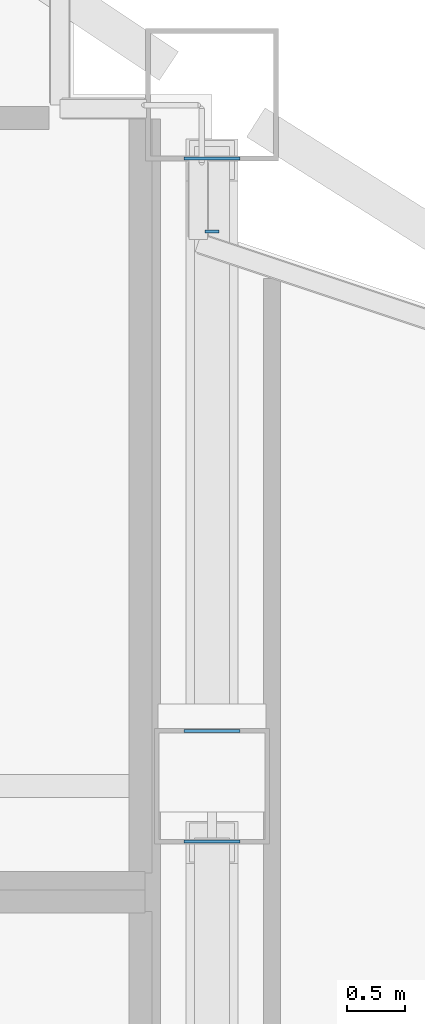
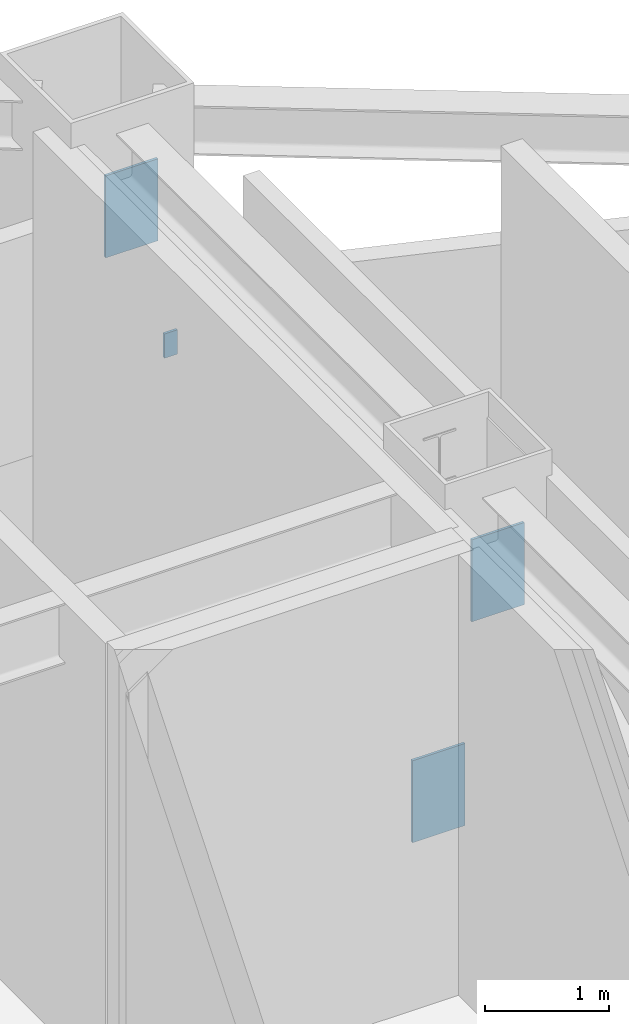
# One storey, part 12 of 23: 4 plates.
"""IFC4 building model written with IfcOpenShell, lengths in metres."""

import ifcopenshell
import ifcopenshell.guid

model = None  # the IFC model being written
_history = None  # IfcOwnerHistory: only IFC2X3 demands one
_inside = {}  # id of a spatial element -> (the spatial element, [elements in it])
_under = {}  # id of a project, library or spatial element -> (it, [spatial elements below it])
_declared = {}  # id of a project -> (the project, [libraries it declares])
_typed = {}  # id of a type object -> (the type object, [elements of that type])
_made_of = {}  # id of a material, layer set ... -> (it, [elements and type objects made of it])


def new_model(schema):
    """Start an empty IFC model of exactly this schema.

    Asked for "IFC4X3", IfcOpenShell would pick the latest addendum, in which some entities
    have other attributes; the version numbers below select the first issue.
    IFC2X3 requires an IfcOwnerHistory on every rooted entity: one is made here for all.
    """
    global model, _history
    if schema == "IFC4X3":
        model = ifcopenshell.file(schema_version=(4, 3, 0, 0))
    else:
        model = ifcopenshell.file(schema=schema)
    _inside.clear()
    _under.clear()
    _declared.clear()
    _typed.clear()
    _made_of.clear()
    _history = None
    if model.schema == "IFC2X3":
        org = make("IfcOrganization", Name="unknown")
        user = make(
            "IfcPersonAndOrganization",
            ThePerson=make("IfcPerson", FamilyName="unknown"),
            TheOrganization=org,
        )
        app = make(
            "IfcApplication",
            ApplicationDeveloper=org,
            Version="unknown",
            ApplicationFullName="unknown",
            ApplicationIdentifier="unknown",
        )
        _history = make(
            "IfcOwnerHistory",
            OwningUser=user,
            OwningApplication=app,
            ChangeAction="ADDED",
            CreationDate=0,
        )
    return model


def make(cls, **values):
    """One entity of the class cls with the attributes given. An attribute that is None is left unset."""
    return model.create_entity(
        cls, **{name: value for name, value in values.items() if value is not None}
    )


def rooted(cls, **values):
    """An entity with a GlobalId (a new one), such as an element, a storey or a relation."""
    return make(cls, GlobalId=ifcopenshell.guid.new(), OwnerHistory=_history, **values)


def si_unit(unit_type, name, prefix=None):
    """IfcSIUnit, for example si_unit("LENGTHUNIT", "METRE", prefix="MILLI")."""
    return make("IfcSIUnit", UnitType=unit_type, Prefix=prefix, Name=name)


def assignment(units):
    """IfcUnitAssignment: the units of a project."""
    return None if units is None else make("IfcUnitAssignment", Units=units)


def point(xyz):
    """IfcCartesianPoint."""
    return None if xyz is None else make("IfcCartesianPoint", Coordinates=xyz)


def direction(xyz):
    """IfcDirection."""
    return None if xyz is None else make("IfcDirection", DirectionRatios=xyz)


def frame(location, z_axis=None, x_axis=None):
    """IfcAxis2Placement3D, a coordinate frame: its origin and axes. An axis left out is left unset."""
    return make(
        "IfcAxis2Placement3D",
        Location=point(location),
        Axis=direction(z_axis),
        RefDirection=direction(x_axis),
    )


def frame_2d(location, x_axis=None):
    """IfcAxis2Placement2D, a coordinate frame in the plane: its origin and x axis."""
    return make(
        "IfcAxis2Placement2D", Location=point(location), RefDirection=direction(x_axis)
    )


def origin():
    """The frame at (0, 0, 0) with its axes left unset."""
    return frame((0.0, 0.0, 0.0))


def origin_2d():
    """The frame at (0, 0) in the plane with its x axis left unset."""
    return frame_2d((0.0, 0.0))


def place(relative_to, where):
    """IfcLocalPlacement: puts the frame where relative to a parent placement (None: the world)."""
    return make(
        "IfcLocalPlacement", PlacementRelTo=relative_to, RelativePlacement=where
    )


def context(
    kind, dimensions, precision=None, world=None, true_north=None, identifier=None
):
    """IfcGeometricRepresentationContext, for example the 3D "Model" context."""
    return make(
        "IfcGeometricRepresentationContext",
        ContextIdentifier=identifier,
        ContextType=kind,
        CoordinateSpaceDimension=dimensions,
        Precision=precision,
        WorldCoordinateSystem=world,
        TrueNorth=true_north,
    )


def subcontext(parent, identifier, kind, view, scale=None):
    """IfcGeometricRepresentationSubContext, for example "Body" below "Model"."""
    return make(
        "IfcGeometricRepresentationSubContext",
        ContextIdentifier=identifier,
        ContextType=kind,
        ParentContext=parent,
        TargetScale=scale,
        TargetView=view,
    )


def project(units=None, contexts=None):
    """IfcProject with its units and contexts."""
    return rooted(
        "IfcProject",
        Name="project",
        RepresentationContexts=contexts,
        UnitsInContext=assignment(units),
    )


def spatial(cls, under=None, at=None, **own):
    """A site, building, storey or space (cls), placed at a placement, below another one or the project."""
    s = rooted(cls, ObjectPlacement=at, **own)
    if under is not None:
        _under.setdefault(under.id(), (under, []))[1].append(s)
    return s


def profile(cls, at=None, kind="AREA", **sizes):
    """A parametric profile (cls). Its sizes go by their IFC names, for example OverallWidth=200.0."""
    return make(cls, ProfileType=kind, Position=at, **sizes)


def rectangle(**sizes):
    """IfcRectangleProfileDef."""
    return profile("IfcRectangleProfileDef", **sizes)


def extrude(swept, where, along, depth):
    """IfcExtrudedAreaSolid: the profile swept, set in the frame where, extruded along a direction by depth."""
    return make(
        "IfcExtrudedAreaSolid",
        SweptArea=swept,
        Position=where,
        ExtrudedDirection=direction(along),
        Depth=depth,
    )


def shape(context_of_items, identifier, shape_type, items):
    """IfcShapeRepresentation: the items that make up one representation, for example the "Body"."""
    return make(
        "IfcShapeRepresentation",
        ContextOfItems=context_of_items,
        RepresentationIdentifier=identifier,
        RepresentationType=shape_type,
        Items=items,
    )


def material(Name=None, Category=None):
    """IfcMaterial."""
    return make("IfcMaterial", Name=Name, Category=Category)


def layer(
    of_material, thickness, ventilated=None, Name=None, Category=None, Priority=None
):
    """IfcMaterialLayer: one layer of a wall or slab, of a material (None: an air gap)."""
    return make(
        "IfcMaterialLayer",
        Material=of_material,
        LayerThickness=thickness,
        IsVentilated=ventilated,
        Name=Name,
        Category=Category,
        Priority=Priority,
    )


def layer_set(layers, Name=None):
    """IfcMaterialLayerSet."""
    return make("IfcMaterialLayerSet", MaterialLayers=layers, LayerSetName=Name)


def made_of(thing, what):
    """Note that an element or type object is made of a material, layer set ...; save() writes the relation."""
    if what is not None:
        _made_of.setdefault(what.id(), (what, []))[1].append(thing)
    return thing


def type_object(cls, material=None, **own):
    """A type object (cls), such as IfcWallType, which elements share."""
    return made_of(rooted(cls, **own), material)


def element(
    cls,
    number,
    at=None,
    inside=None,
    cuts=None,
    type_object=None,
    material=None,
    context=None,
    identifier="Body",
    shape_type=None,
    held_by="IfcProductDefinitionShape",
    body=None,
    shapes=None,
    **own,
):
    """One element of the class cls, such as IfcWall. Its Tag is "e" and its number.

    at: its placement. inside: the storey or other place that contains it. cuts: it is an
    opening in that element (IfcRelVoidsElement). A single representation is given by context,
    identifier, shape_type and body (its items); several are given by shapes. held_by: the class
    of the entity that holds the representations. save() writes the other relations.
    """
    e = rooted(cls, Tag="e%d" % number, ObjectPlacement=at, **own)
    if body is not None:
        shapes = [shape(context, identifier, shape_type, body)]
    if shapes is not None:
        e.Representation = make(held_by, Representations=shapes)
    if inside is not None:
        _inside.setdefault(inside.id(), (inside, []))[1].append(e)
    if cuts is not None:
        rooted(
            "IfcRelVoidsElement", RelatingBuildingElement=cuts, RelatedOpeningElement=e
        )
    if type_object is not None:
        _typed.setdefault(type_object.id(), (type_object, []))[1].append(e)
    return made_of(e, material)


def aggregate(whole, parts):
    """IfcRelAggregates: a whole, such as a stair, and the parts it consists of."""
    return rooted("IfcRelAggregates", RelatingObject=whole, RelatedObjects=parts)


def save(model, path):
    """Write the relations noted so far, then the file.

    IfcRelAggregates (storeys below a building ...), IfcRelContainedInSpatialStructure (elements
    in a storey), IfcRelDefinesByType, IfcRelAssociatesMaterial and IfcRelDeclares: one each for
    every whole, place, type object, material and project.
    """
    for whole, parts in _under.values():
        aggregate(whole, parts)
    for where, things in _inside.values():
        rooted(
            "IfcRelContainedInSpatialStructure",
            RelatedElements=things,
            RelatingStructure=where,
        )
    for kind, things in _typed.values():
        rooted("IfcRelDefinesByType", RelatedObjects=things, RelatingType=kind)
    for what, things in _made_of.values():
        rooted("IfcRelAssociatesMaterial", RelatedObjects=things, RelatingMaterial=what)
    for by, libraries in _declared.values():
        rooted("IfcRelDeclares", RelatingContext=by, RelatedDefinitions=libraries)
    model.write(path)


model = new_model("IFC4")

# Units and contexts
model_context = context("Model", 3, precision=1e-05, world=origin(), true_north=direction((0.0, 1.0)))
body_context = subcontext(model_context, "Body", "Model", "MODEL_VIEW")
ifc_project = project(units=[si_unit("LENGTHUNIT", "METRE"), si_unit("AREAUNIT", "SQUARE_METRE"), si_unit("VOLUMEUNIT", "CUBIC_METRE"), si_unit("PLANEANGLEUNIT", "RADIAN"), si_unit("MASSUNIT", "GRAM", prefix="KILO")], contexts=[model_context])

# Site, building, storey
site_placement = place(None, origin())
site = spatial("IfcSite", under=ifc_project, at=site_placement, CompositionType="ELEMENT")
building_placement = place(site_placement, origin())
building = spatial("IfcBuilding", under=site, at=building_placement, Name="Haolan Belvedere Tower", CompositionType="ELEMENT")
storey_placement = place(building_placement, frame((0.0, 0.0, 89.39990234375)))
storey = spatial("IfcBuildingStorey", under=building, at=storey_placement, Name="L22", CompositionType="ELEMENT", Elevation=89.39990234375)

# Plates
ifc_material = material(Name="Steel Q355B", Category="steel")
ifc_layer = layer(ifc_material, 0.02490234375, Name="Steel Q355B")
ifc_layer_set = layer_set([ifc_layer], Name="Steel Q355B")
plate_type = type_object("IfcPlateType", Name="PL-CAP-25", PredefinedType="SHEET", material=ifc_layer_set)
for number, where, z_axis, x_axis, name in (
    (1, (52.800048828125, 39.120849609375, 3.151123046875), (0.0, 0.0, 1.0), (-1.0, 0.0, 0.0), "Hollow steel end-cap plate BT-E3-L22-CAP1"),
    (2, (52.800048828125, 40.0791015625, 0.388916015625), (0.0, 0.0, 1.0), (1.0, 0.0, 0.0), "Hollow steel end-cap plate BT-E4-L22-CAP0"),
    (3, (52.800048828125, 45.0458984375, 3.151123046875), (0.0, 0.0, 1.0), (-1.0, 0.0, 0.0), "Hollow steel end-cap plate BT-E4-L22-CAP1"),
):
    element("IfcPlate", number, at=place(storey_placement, frame(where, z_axis=z_axis, x_axis=x_axis)), inside=storey, type_object=plate_type, Name=name, PredefinedType="SHEET", context=body_context, shape_type="SweptSolid", body=[
        extrude(rectangle(XDim=0.489990234375, YDim=0.02490234375, at=origin_2d()), origin(), (0.0, 0.0, 1.0), 0.81005859375),
    ])
plate_placement = place(storey_placement, frame((52.800048828125, 44.41259765625, 2.47998046875), z_axis=(0.0, 0.0, 1.0), x_axis=(-1.0, 0.0, 0.0)))
element("IfcPlate", 4, at=plate_placement, inside=storey, type_object=plate_type, Name="Hollow steel end-cap plate GIRT-L22-GE-CAP1", PredefinedType="SHEET", context=body_context, shape_type="SweptSolid", body=[
    extrude(rectangle(XDim=0.1201171875, YDim=0.02490234375, at=origin_2d()), origin(), (0.0, 0.0, 1.0), 0.239990234375),
])

save(model, "model.ifc")
